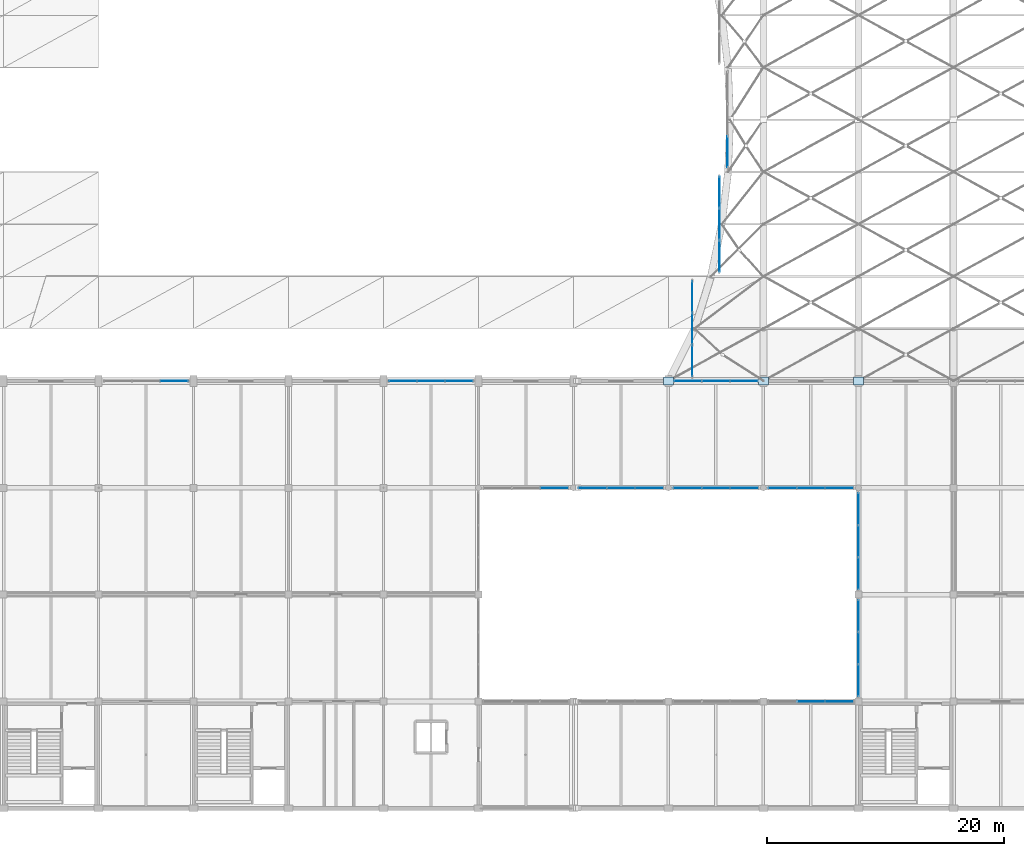
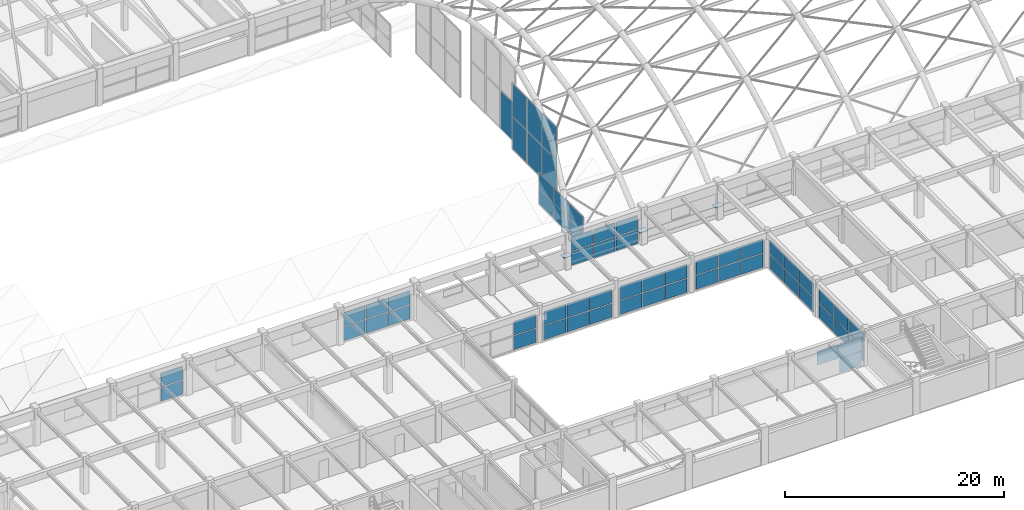
# One storey, part 87 of 126: 65 plates, 13 elements without a shape of their own.
"""IFC4 building model written with IfcOpenShell, lengths in metres."""

from ifc_helpers import new_model, si_unit, direction, frame, origin, origin_2d, place, context, subcontext, project, spatial, rectangle, extrude, material, layer, layer_set, type_object, element, aggregate, save


model = new_model("IFC4")

# Units and contexts
model_context = context("Model", 3, precision=1e-05, world=origin(), true_north=direction((0.0, 1.0)))
body_context = subcontext(model_context, "Body", "Model", "MODEL_VIEW")
ifc_project = project(units=[si_unit("LENGTHUNIT", "METRE"), si_unit("AREAUNIT", "SQUARE_METRE"), si_unit("VOLUMEUNIT", "CUBIC_METRE"), si_unit("PLANEANGLEUNIT", "RADIAN"), si_unit("MASSUNIT", "GRAM", prefix="KILO")], contexts=[model_context])

# Site, building, storey
site_placement = place(None, origin())
site = spatial("IfcSite", under=ifc_project, at=site_placement, CompositionType="ELEMENT")
building_placement = place(site_placement, origin())
building = spatial("IfcBuilding", under=site, at=building_placement, Name="Varnabhumi Central Station", CompositionType="ELEMENT")
storey_placement = place(building_placement, frame((0.0, 0.0, 16.199951171875)))
storey = spatial("IfcBuildingStorey", under=building, at=storey_placement, Name="L03", CompositionType="ELEMENT", Elevation=16.199951171875)

# Curtain wall, plates
ifc_material_1 = material(Name="Anodised aluminium 6063-T6", Category="aluminium")
curtain_wall_type_1 = type_object("IfcCurtainWallType", Name="CW-VAULT-ARCH-V5", PredefinedType="NOTDEFINED", material=ifc_material_1)
curtain_wall_1_placement = place(storey_placement, origin())
curtain_wall_1 = element("IfcCurtainWall", 1, at=curtain_wall_1_placement, inside=storey, type_object=curtain_wall_type_1, Name="Curtain Wall CW-V51", PredefinedType="NOTDEFINED")
ifc_material_2 = material(Name="Laminated low-E double glazing", Category="glass")
ifc_layer_1 = layer(ifc_material_2, 0.035888671875, Name="Laminated low-E double glazing", Category="glass")
ifc_layer_set_1 = layer_set([ifc_layer_1], Name="Laminated low-E double glazing")
plate_type_1 = type_object("IfcPlateType", Name="CW-PNL-GLZ-1", PredefinedType="CURTAIN_PANEL", material=ifc_layer_set_1)
plate_1_placement = place(storey_placement, frame((130.007080078125, 37.699951171875, 1.2900390625), z_axis=(0.0, 0.0, 1.0), x_axis=(0.0, 1.0, 0.0)))
plate_1 = element("IfcPlate", 2, at=plate_1_placement, type_object=plate_type_1, Name="Glazed Panel CW-V51-P11", PredefinedType="CURTAIN_PANEL", context=body_context, shape_type="SweptSolid", body=[
    extrude(rectangle(XDim=2.6201171875, YDim=0.035888671875, at=origin_2d()), origin(), (0.0, 0.0, 1.0), 1.668212890625),
])
plate_2_placement = place(storey_placement, frame((130.007080078125, 37.699951171875, 3.03857421875), z_axis=(0.0, 0.0, 1.0), x_axis=(0.0, 1.0, 0.0)))
plate_2 = element("IfcPlate", 3, at=plate_2_placement, type_object=plate_type_1, Name="Glazed Panel CW-V51-P12", PredefinedType="CURTAIN_PANEL", context=body_context, shape_type="SweptSolid", body=[
    extrude(rectangle(XDim=2.6201171875, YDim=0.035888671875, at=origin_2d()), origin(), (0.0, 0.0, 1.0), 1.668212890625),
])
plate_3_placement = place(storey_placement, frame((130.007080078125, 40.39990234375, 1.2900390625), z_axis=(0.0, 0.0, 1.0), x_axis=(0.0, 1.0, 0.0)))
plate_3 = element("IfcPlate", 4, at=plate_3_placement, type_object=plate_type_1, Name="Glazed Panel CW-V51-P21", PredefinedType="CURTAIN_PANEL", context=body_context, shape_type="SweptSolid", body=[
    extrude(rectangle(XDim=2.6201171875, YDim=0.035888671875, at=origin_2d()), origin(), (0.0, 0.0, 1.0), 1.668212890625),
])
plate_4_placement = place(storey_placement, frame((130.007080078125, 40.39990234375, 3.03857421875), z_axis=(0.0, 0.0, 1.0), x_axis=(0.0, 1.0, 0.0)))
plate_4 = element("IfcPlate", 5, at=plate_4_placement, type_object=plate_type_1, Name="Glazed Panel CW-V51-P22", PredefinedType="CURTAIN_PANEL", context=body_context, shape_type="SweptSolid", body=[
    extrude(rectangle(XDim=2.6201171875, YDim=0.035888671875, at=origin_2d()), origin(), (0.0, 0.0, 1.0), 1.668212890625),
])
plate_5_placement = place(storey_placement, frame((130.007080078125, 43.10009765625, 1.2900390625), z_axis=(0.0, 0.0, 1.0), x_axis=(0.0, 1.0, 0.0)))
plate_5 = element("IfcPlate", 6, at=plate_5_placement, type_object=plate_type_1, Name="Glazed Panel CW-V51-P31", PredefinedType="CURTAIN_PANEL", context=body_context, shape_type="SweptSolid", body=[
    extrude(rectangle(XDim=2.6201171875, YDim=0.035888671875, at=origin_2d()), origin(), (0.0, 0.0, 1.0), 1.668212890625),
])
plate_6_placement = place(storey_placement, frame((130.007080078125, 43.10009765625, 3.03857421875), z_axis=(0.0, 0.0, 1.0), x_axis=(0.0, 1.0, 0.0)))
plate_6 = element("IfcPlate", 7, at=plate_6_placement, type_object=plate_type_1, Name="Glazed Panel CW-V51-P32", PredefinedType="CURTAIN_PANEL", context=body_context, shape_type="SweptSolid", body=[
    extrude(rectangle(XDim=2.6201171875, YDim=0.035888671875, at=origin_2d()), origin(), (0.0, 0.0, 1.0), 1.668212890625),
])
aggregate(curtain_wall_1, [plate_1, plate_2, plate_3, plate_4, plate_5, plate_6])

curtain_wall_2_placement = place(storey_placement, origin())
curtain_wall_2 = element("IfcCurtainWall", 8, at=curtain_wall_2_placement, inside=storey, type_object=curtain_wall_type_1, Name="Curtain Wall CW-V52", PredefinedType="NOTDEFINED")
plate_7_placement = place(storey_placement, frame((132.284912109375, 46.5, 1.2900390625), z_axis=(0.0, 0.0, 1.0), x_axis=(0.0, 1.0, 0.0)))
plate_7 = element("IfcPlate", 9, at=plate_7_placement, type_object=plate_type_1, Name="Glazed Panel CW-V52-P11", PredefinedType="CURTAIN_PANEL", context=body_context, shape_type="SweptSolid", body=[
    extrude(rectangle(XDim=2.6201171875, YDim=0.035888671875, at=origin_2d()), origin(), (0.0, 0.0, 1.0), 3.595458984375),
])
plate_8_placement = place(storey_placement, frame((132.284912109375, 46.5, 4.96533203125), z_axis=(0.0, 0.0, 1.0), x_axis=(0.0, 1.0, 0.0)))
plate_8 = element("IfcPlate", 10, at=plate_8_placement, type_object=plate_type_1, Name="Glazed Panel CW-V52-P12", PredefinedType="CURTAIN_PANEL", context=body_context, shape_type="SweptSolid", body=[
    extrude(rectangle(XDim=2.6201171875, YDim=0.035888671875, at=origin_2d()), origin(), (0.0, 0.0, 1.0), 3.595458984375),
])
plate_9_placement = place(storey_placement, frame((132.284912109375, 49.199951171875, 1.2900390625), z_axis=(0.0, 0.0, 1.0), x_axis=(0.0, 1.0, 0.0)))
plate_9 = element("IfcPlate", 11, at=plate_9_placement, type_object=plate_type_1, Name="Glazed Panel CW-V52-P21", PredefinedType="CURTAIN_PANEL", context=body_context, shape_type="SweptSolid", body=[
    extrude(rectangle(XDim=2.6201171875, YDim=0.035888671875, at=origin_2d()), origin(), (0.0, 0.0, 1.0), 3.595458984375),
])
plate_10_placement = place(storey_placement, frame((132.284912109375, 49.199951171875, 4.96533203125), z_axis=(0.0, 0.0, 1.0), x_axis=(0.0, 1.0, 0.0)))
plate_10 = element("IfcPlate", 12, at=plate_10_placement, type_object=plate_type_1, Name="Glazed Panel CW-V52-P22", PredefinedType="CURTAIN_PANEL", context=body_context, shape_type="SweptSolid", body=[
    extrude(rectangle(XDim=2.6201171875, YDim=0.035888671875, at=origin_2d()), origin(), (0.0, 0.0, 1.0), 3.595458984375),
])
plate_11_placement = place(storey_placement, frame((132.284912109375, 51.89990234375, 1.2900390625), z_axis=(0.0, 0.0, 1.0), x_axis=(0.0, 1.0, 0.0)))
plate_11 = element("IfcPlate", 13, at=plate_11_placement, type_object=plate_type_1, Name="Glazed Panel CW-V52-P31", PredefinedType="CURTAIN_PANEL", context=body_context, shape_type="SweptSolid", body=[
    extrude(rectangle(XDim=2.6201171875, YDim=0.035888671875, at=origin_2d()), origin(), (0.0, 0.0, 1.0), 3.595458984375),
])
plate_12_placement = place(storey_placement, frame((132.284912109375, 51.89990234375, 4.96533203125), z_axis=(0.0, 0.0, 1.0), x_axis=(0.0, 1.0, 0.0)))
plate_12 = element("IfcPlate", 14, at=plate_12_placement, type_object=plate_type_1, Name="Glazed Panel CW-V52-P32", PredefinedType="CURTAIN_PANEL", context=body_context, shape_type="SweptSolid", body=[
    extrude(rectangle(XDim=2.6201171875, YDim=0.035888671875, at=origin_2d()), origin(), (0.0, 0.0, 1.0), 3.595458984375),
])
aggregate(curtain_wall_2, [plate_7, plate_8, plate_9, plate_10, plate_11, plate_12])

# Curtain wall, plate
curtain_wall_3_placement = place(storey_placement, origin())
curtain_wall_3 = element("IfcCurtainWall", 15, at=curtain_wall_3_placement, inside=storey, type_object=curtain_wall_type_1, Name="Curtain Wall CW-V53", PredefinedType="NOTDEFINED")
plate_13_placement = place(storey_placement, frame((132.992919921875, 55.300048828125, 1.2900390625), z_axis=(0.0, 0.0, 1.0), x_axis=(0.0, 1.0, 0.0)))
plate_13 = element("IfcPlate", 16, at=plate_13_placement, type_object=plate_type_1, Name="Glazed Panel CW-V53-P11", PredefinedType="CURTAIN_PANEL", context=body_context, shape_type="SweptSolid", body=[
    extrude(rectangle(XDim=2.6201171875, YDim=0.035888671875, at=origin_2d()), origin(), (0.0, 0.0, 1.0), 4.195068359375),
])
aggregate(curtain_wall_3, [plate_13])

# Curtain wall, plates
curtain_wall_type_2 = type_object("IfcCurtainWallType", Name="CW-SPINE-SCREEN-L0", PredefinedType="NOTDEFINED", material=ifc_material_1)
curtain_wall_4_placement = place(storey_placement, origin())
curtain_wall_4 = element("IfcCurtainWall", 17, at=curtain_wall_4_placement, inside=storey, type_object=curtain_wall_type_2, Name="Curtain Wall CW-SS306", PredefinedType="NOTDEFINED")
plate_14_placement = place(storey_placement, frame((86.36669921875, 36.0, 0.0400390625), z_axis=(0.0, 0.0, 1.0), x_axis=(1.0, 0.0, 0.0)))
plate_14 = element("IfcPlate", 18, at=plate_14_placement, type_object=plate_type_1, Name="Glazed Panel CW-SS306-P31", PredefinedType="CURTAIN_PANEL", context=body_context, shape_type="SweptSolid", body=[
    extrude(rectangle(XDim=2.28662109375, YDim=0.035888671875, at=origin_2d()), origin(), (0.0, 0.0, 1.0), 1.5400390625),
])
plate_15_placement = place(storey_placement, frame((86.36669921875, 36.0, 1.659912109375), z_axis=(0.0, 0.0, 1.0), x_axis=(1.0, 0.0, 0.0)))
plate_15 = element("IfcPlate", 19, at=plate_15_placement, type_object=plate_type_1, Name="Glazed Panel CW-SS306-P32", PredefinedType="CURTAIN_PANEL", context=body_context, shape_type="SweptSolid", body=[
    extrude(rectangle(XDim=2.28662109375, YDim=0.035888671875, at=origin_2d()), origin(), (0.0, 0.0, 1.0), 1.5400390625),
])
aggregate(curtain_wall_4, [plate_14, plate_15])

curtain_wall_type_3 = type_object("IfcCurtainWallType", Name="CW-PATIO-LOGGIA-L3", PredefinedType="NOTDEFINED", material=ifc_material_1)
curtain_wall_5_placement = place(storey_placement, origin())
curtain_wall_5 = element("IfcCurtainWall", 20, at=curtain_wall_5_placement, inside=storey, type_object=curtain_wall_type_3, Name="Curtain Wall CW-SP3S4", PredefinedType="NOTDEFINED")
plate_16_placement = place(storey_placement, frame((140.0, 9.0, 1.659912109375), z_axis=(0.0, 0.0, 1.0), x_axis=(1.0, 0.0, 0.0)))
plate_16 = element("IfcPlate", 21, at=plate_16_placement, type_object=plate_type_1, Name="Glazed Panel CW-SP3S4-P22", PredefinedType="CURTAIN_PANEL", context=body_context, shape_type="SweptSolid", body=[
    extrude(rectangle(XDim=2.306640625, YDim=0.035888671875, at=origin_2d()), origin(), (0.0, 0.0, 1.0), 1.5400390625),
])
plate_17_placement = place(storey_placement, frame((142.38671875, 9.0, 0.0400390625), z_axis=(0.0, 0.0, 1.0), x_axis=(1.0, 0.0, 0.0)))
plate_17 = element("IfcPlate", 22, at=plate_17_placement, type_object=plate_type_1, Name="Glazed Panel CW-SP3S4-P31", PredefinedType="CURTAIN_PANEL", context=body_context, shape_type="SweptSolid", body=[
    extrude(rectangle(XDim=2.306640625, YDim=0.035888671875, at=origin_2d()), origin(), (0.0, 0.0, 1.0), 1.5400390625),
])
plate_18_placement = place(storey_placement, frame((142.38671875, 9.0, 1.659912109375), z_axis=(0.0, 0.0, 1.0), x_axis=(1.0, 0.0, 0.0)))
plate_18 = element("IfcPlate", 23, at=plate_18_placement, type_object=plate_type_1, Name="Glazed Panel CW-SP3S4-P32", PredefinedType="CURTAIN_PANEL", context=body_context, shape_type="SweptSolid", body=[
    extrude(rectangle(XDim=2.306640625, YDim=0.035888671875, at=origin_2d()), origin(), (0.0, 0.0, 1.0), 1.5400390625),
])
aggregate(curtain_wall_5, [plate_16, plate_17, plate_18])

curtain_wall_6_placement = place(storey_placement, origin())
curtain_wall_6 = element("IfcCurtainWall", 24, at=curtain_wall_6_placement, inside=storey, type_object=curtain_wall_type_3, Name="Curtain Wall CW-SP3N4", PredefinedType="NOTDEFINED")
plate_19_placement = place(storey_placement, frame((137.61328125, 27.0, 0.0400390625), z_axis=(0.0, 0.0, 1.0), x_axis=(1.0, 0.0, 0.0)))
plate_19 = element("IfcPlate", 25, at=plate_19_placement, type_object=plate_type_1, Name="Glazed Panel CW-SP3N4-P11", PredefinedType="CURTAIN_PANEL", context=body_context, shape_type="SweptSolid", body=[
    extrude(rectangle(XDim=2.306640625, YDim=0.035888671875, at=origin_2d()), origin(), (0.0, 0.0, 1.0), 1.5400390625),
])
plate_20_placement = place(storey_placement, frame((137.61328125, 27.0, 1.659912109375), z_axis=(0.0, 0.0, 1.0), x_axis=(1.0, 0.0, 0.0)))
plate_20 = element("IfcPlate", 26, at=plate_20_placement, type_object=plate_type_1, Name="Glazed Panel CW-SP3N4-P12", PredefinedType="CURTAIN_PANEL", context=body_context, shape_type="SweptSolid", body=[
    extrude(rectangle(XDim=2.306640625, YDim=0.035888671875, at=origin_2d()), origin(), (0.0, 0.0, 1.0), 1.5400390625),
])
plate_21_placement = place(storey_placement, frame((140.0, 27.0, 0.0400390625), z_axis=(0.0, 0.0, 1.0), x_axis=(1.0, 0.0, 0.0)))
plate_21 = element("IfcPlate", 27, at=plate_21_placement, type_object=plate_type_1, Name="Glazed Panel CW-SP3N4-P21", PredefinedType="CURTAIN_PANEL", context=body_context, shape_type="SweptSolid", body=[
    extrude(rectangle(XDim=2.306640625, YDim=0.035888671875, at=origin_2d()), origin(), (0.0, 0.0, 1.0), 1.5400390625),
])
plate_22_placement = place(storey_placement, frame((140.0, 27.0, 1.659912109375), z_axis=(0.0, 0.0, 1.0), x_axis=(1.0, 0.0, 0.0)))
plate_22 = element("IfcPlate", 28, at=plate_22_placement, type_object=plate_type_1, Name="Glazed Panel CW-SP3N4-P22", PredefinedType="CURTAIN_PANEL", context=body_context, shape_type="SweptSolid", body=[
    extrude(rectangle(XDim=2.306640625, YDim=0.035888671875, at=origin_2d()), origin(), (0.0, 0.0, 1.0), 1.5400390625),
])
plate_23_placement = place(storey_placement, frame((142.38671875, 27.0, 0.0400390625), z_axis=(0.0, 0.0, 1.0), x_axis=(1.0, 0.0, 0.0)))
plate_23 = element("IfcPlate", 29, at=plate_23_placement, type_object=plate_type_1, Name="Glazed Panel CW-SP3N4-P31", PredefinedType="CURTAIN_PANEL", context=body_context, shape_type="SweptSolid", body=[
    extrude(rectangle(XDim=2.306640625, YDim=0.035888671875, at=origin_2d()), origin(), (0.0, 0.0, 1.0), 1.5400390625),
])
plate_24_placement = place(storey_placement, frame((142.38671875, 27.0, 1.659912109375), z_axis=(0.0, 0.0, 1.0), x_axis=(1.0, 0.0, 0.0)))
plate_24 = element("IfcPlate", 30, at=plate_24_placement, type_object=plate_type_1, Name="Glazed Panel CW-SP3N4-P32", PredefinedType="CURTAIN_PANEL", context=body_context, shape_type="SweptSolid", body=[
    extrude(rectangle(XDim=2.306640625, YDim=0.035888671875, at=origin_2d()), origin(), (0.0, 0.0, 1.0), 1.5400390625),
])
aggregate(curtain_wall_6, [plate_19, plate_20, plate_21, plate_22, plate_23, plate_24])

curtain_wall_7_placement = place(storey_placement, origin())
curtain_wall_7 = element("IfcCurtainWall", 31, at=curtain_wall_7_placement, inside=storey, type_object=curtain_wall_type_3, Name="Curtain Wall CW-SP3W1", PredefinedType="NOTDEFINED")
ifc_layer_2 = layer(ifc_material_2, 0.035888671875, Name="Laminated low-E double glazing", Category="glass")
ifc_layer_set_2 = layer_set([ifc_layer_2], Name="Laminated low-E double glazing")
plate_type_2 = type_object("IfcPlateType", Name="CW-PNL-GLZ-3", PredefinedType="CURTAIN_PANEL", material=ifc_layer_set_2)
plate_25_placement = place(storey_placement, frame((144.0, 10.780029296875, 0.0400390625), z_axis=(0.0, 0.0, 1.0), x_axis=(0.0, 1.0, 0.0)))
plate_25 = element("IfcPlate", 32, at=plate_25_placement, type_object=plate_type_2, Name="Glazed Panel CW-SP3W1-P11", PredefinedType="CURTAIN_PANEL", context=body_context, shape_type="SweptSolid", body=[
    extrude(rectangle(XDim=2.639892578125, YDim=0.035888671875, at=origin_2d()), origin(), (0.0, 0.0, 1.0), 1.5400390625),
])
plate_26_placement = place(storey_placement, frame((144.0, 10.780029296875, 1.659912109375), z_axis=(0.0, 0.0, 1.0), x_axis=(0.0, 1.0, 0.0)))
plate_26 = element("IfcPlate", 33, at=plate_26_placement, type_object=plate_type_2, Name="Glazed Panel CW-SP3W1-P12", PredefinedType="CURTAIN_PANEL", context=body_context, shape_type="SweptSolid", body=[
    extrude(rectangle(XDim=2.639892578125, YDim=0.035888671875, at=origin_2d()), origin(), (0.0, 0.0, 1.0), 1.5400390625),
])
plate_27_placement = place(storey_placement, frame((144.0, 13.5, 0.0400390625), z_axis=(0.0, 0.0, 1.0), x_axis=(0.0, 1.0, 0.0)))
plate_27 = element("IfcPlate", 34, at=plate_27_placement, type_object=plate_type_2, Name="Glazed Panel CW-SP3W1-P21", PredefinedType="CURTAIN_PANEL", context=body_context, shape_type="SweptSolid", body=[
    extrude(rectangle(XDim=2.639892578125, YDim=0.035888671875, at=origin_2d()), origin(), (0.0, 0.0, 1.0), 1.5400390625),
])
plate_28_placement = place(storey_placement, frame((144.0, 13.5, 1.659912109375), z_axis=(0.0, 0.0, 1.0), x_axis=(0.0, 1.0, 0.0)))
plate_28 = element("IfcPlate", 35, at=plate_28_placement, type_object=plate_type_2, Name="Glazed Panel CW-SP3W1-P22", PredefinedType="CURTAIN_PANEL", context=body_context, shape_type="SweptSolid", body=[
    extrude(rectangle(XDim=2.639892578125, YDim=0.035888671875, at=origin_2d()), origin(), (0.0, 0.0, 1.0), 1.5400390625),
])
plate_29_placement = place(storey_placement, frame((144.0, 16.219970703125, 0.0400390625), z_axis=(0.0, 0.0, 1.0), x_axis=(0.0, 1.0, 0.0)))
plate_29 = element("IfcPlate", 36, at=plate_29_placement, type_object=plate_type_2, Name="Glazed Panel CW-SP3W1-P31", PredefinedType="CURTAIN_PANEL", context=body_context, shape_type="SweptSolid", body=[
    extrude(rectangle(XDim=2.639892578125, YDim=0.035888671875, at=origin_2d()), origin(), (0.0, 0.0, 1.0), 1.5400390625),
])
plate_30_placement = place(storey_placement, frame((144.0, 16.219970703125, 1.659912109375), z_axis=(0.0, 0.0, 1.0), x_axis=(0.0, 1.0, 0.0)))
plate_30 = element("IfcPlate", 37, at=plate_30_placement, type_object=plate_type_2, Name="Glazed Panel CW-SP3W1-P32", PredefinedType="CURTAIN_PANEL", context=body_context, shape_type="SweptSolid", body=[
    extrude(rectangle(XDim=2.639892578125, YDim=0.035888671875, at=origin_2d()), origin(), (0.0, 0.0, 1.0), 1.5400390625),
])
aggregate(curtain_wall_7, [plate_25, plate_26, plate_27, plate_28, plate_29, plate_30])

curtain_wall_8_placement = place(storey_placement, origin())
curtain_wall_8 = element("IfcCurtainWall", 38, at=curtain_wall_8_placement, inside=storey, type_object=curtain_wall_type_3, Name="Curtain Wall CW-SP3W2", PredefinedType="NOTDEFINED")
plate_31_placement = place(storey_placement, frame((144.0, 19.780029296875, 0.0400390625), z_axis=(0.0, 0.0, 1.0), x_axis=(0.0, 1.0, 0.0)))
plate_31 = element("IfcPlate", 39, at=plate_31_placement, type_object=plate_type_2, Name="Glazed Panel CW-SP3W2-P11", PredefinedType="CURTAIN_PANEL", context=body_context, shape_type="SweptSolid", body=[
    extrude(rectangle(XDim=2.639892578125, YDim=0.035888671875, at=origin_2d()), origin(), (0.0, 0.0, 1.0), 1.5400390625),
])
plate_32_placement = place(storey_placement, frame((144.0, 19.780029296875, 1.659912109375), z_axis=(0.0, 0.0, 1.0), x_axis=(0.0, 1.0, 0.0)))
plate_32 = element("IfcPlate", 40, at=plate_32_placement, type_object=plate_type_2, Name="Glazed Panel CW-SP3W2-P12", PredefinedType="CURTAIN_PANEL", context=body_context, shape_type="SweptSolid", body=[
    extrude(rectangle(XDim=2.639892578125, YDim=0.035888671875, at=origin_2d()), origin(), (0.0, 0.0, 1.0), 1.5400390625),
])
plate_33_placement = place(storey_placement, frame((144.0, 22.5, 0.0400390625), z_axis=(0.0, 0.0, 1.0), x_axis=(0.0, 1.0, 0.0)))
plate_33 = element("IfcPlate", 41, at=plate_33_placement, type_object=plate_type_2, Name="Glazed Panel CW-SP3W2-P21", PredefinedType="CURTAIN_PANEL", context=body_context, shape_type="SweptSolid", body=[
    extrude(rectangle(XDim=2.639892578125, YDim=0.035888671875, at=origin_2d()), origin(), (0.0, 0.0, 1.0), 1.5400390625),
])
plate_34_placement = place(storey_placement, frame((144.0, 22.5, 1.659912109375), z_axis=(0.0, 0.0, 1.0), x_axis=(0.0, 1.0, 0.0)))
plate_34 = element("IfcPlate", 42, at=plate_34_placement, type_object=plate_type_2, Name="Glazed Panel CW-SP3W2-P22", PredefinedType="CURTAIN_PANEL", context=body_context, shape_type="SweptSolid", body=[
    extrude(rectangle(XDim=2.639892578125, YDim=0.035888671875, at=origin_2d()), origin(), (0.0, 0.0, 1.0), 1.5400390625),
])
plate_35_placement = place(storey_placement, frame((144.0, 25.219970703125, 0.0400390625), z_axis=(0.0, 0.0, 1.0), x_axis=(0.0, 1.0, 0.0)))
plate_35 = element("IfcPlate", 43, at=plate_35_placement, type_object=plate_type_2, Name="Glazed Panel CW-SP3W2-P31", PredefinedType="CURTAIN_PANEL", context=body_context, shape_type="SweptSolid", body=[
    extrude(rectangle(XDim=2.639892578125, YDim=0.035888671875, at=origin_2d()), origin(), (0.0, 0.0, 1.0), 1.5400390625),
])
plate_36_placement = place(storey_placement, frame((144.0, 25.219970703125, 1.659912109375), z_axis=(0.0, 0.0, 1.0), x_axis=(0.0, 1.0, 0.0)))
plate_36 = element("IfcPlate", 44, at=plate_36_placement, type_object=plate_type_2, Name="Glazed Panel CW-SP3W2-P32", PredefinedType="CURTAIN_PANEL", context=body_context, shape_type="SweptSolid", body=[
    extrude(rectangle(XDim=2.639892578125, YDim=0.035888671875, at=origin_2d()), origin(), (0.0, 0.0, 1.0), 1.5400390625),
])
aggregate(curtain_wall_8, [plate_31, plate_32, plate_33, plate_34, plate_35, plate_36])

curtain_wall_9_placement = place(storey_placement, origin())
curtain_wall_9 = element("IfcCurtainWall", 45, at=curtain_wall_9_placement, inside=storey, type_object=curtain_wall_type_2, Name="Curtain Wall CW-SS309", PredefinedType="NOTDEFINED")
ifc_layer_3 = layer(ifc_material_2, 0.035888671875, Name="Laminated low-E double glazing", Category="glass")
ifc_layer_set_3 = layer_set([ifc_layer_3], Name="Laminated low-E double glazing")
plate_type_3 = type_object("IfcPlateType", Name="CW-PNL-GLZ-4", PredefinedType="CURTAIN_PANEL", material=ifc_layer_set_3)
plate_37_placement = place(storey_placement, frame((105.63330078125, 36.0, 0.0400390625), z_axis=(0.0, 0.0, 1.0), x_axis=(1.0, 0.0, 0.0)))
plate_37 = element("IfcPlate", 46, at=plate_37_placement, type_object=plate_type_3, Name="Glazed Panel CW-SS309-P11", PredefinedType="CURTAIN_PANEL", context=body_context, shape_type="SweptSolid", body=[
    extrude(rectangle(XDim=2.28662109375, YDim=0.035888671875, at=origin_2d()), origin(), (0.0, 0.0, 1.0), 1.5400390625),
])
plate_38_placement = place(storey_placement, frame((105.63330078125, 36.0, 1.659912109375), z_axis=(0.0, 0.0, 1.0), x_axis=(1.0, 0.0, 0.0)))
plate_38 = element("IfcPlate", 47, at=plate_38_placement, type_object=plate_type_3, Name="Glazed Panel CW-SS309-P12", PredefinedType="CURTAIN_PANEL", context=body_context, shape_type="SweptSolid", body=[
    extrude(rectangle(XDim=2.28662109375, YDim=0.035888671875, at=origin_2d()), origin(), (0.0, 0.0, 1.0), 1.5400390625),
])
plate_39_placement = place(storey_placement, frame((108.0, 36.0, 0.0400390625), z_axis=(0.0, 0.0, 1.0), x_axis=(1.0, 0.0, 0.0)))
plate_39 = element("IfcPlate", 48, at=plate_39_placement, type_object=plate_type_3, Name="Glazed Panel CW-SS309-P21", PredefinedType="CURTAIN_PANEL", context=body_context, shape_type="SweptSolid", body=[
    extrude(rectangle(XDim=2.28662109375, YDim=0.035888671875, at=origin_2d()), origin(), (0.0, 0.0, 1.0), 1.5400390625),
])
plate_40_placement = place(storey_placement, frame((108.0, 36.0, 1.659912109375), z_axis=(0.0, 0.0, 1.0), x_axis=(1.0, 0.0, 0.0)))
plate_40 = element("IfcPlate", 49, at=plate_40_placement, type_object=plate_type_3, Name="Glazed Panel CW-SS309-P22", PredefinedType="CURTAIN_PANEL", context=body_context, shape_type="SweptSolid", body=[
    extrude(rectangle(XDim=2.28662109375, YDim=0.035888671875, at=origin_2d()), origin(), (0.0, 0.0, 1.0), 1.5400390625),
])
plate_41_placement = place(storey_placement, frame((110.36669921875, 36.0, 0.0400390625), z_axis=(0.0, 0.0, 1.0), x_axis=(1.0, 0.0, 0.0)))
plate_41 = element("IfcPlate", 50, at=plate_41_placement, type_object=plate_type_3, Name="Glazed Panel CW-SS309-P31", PredefinedType="CURTAIN_PANEL", context=body_context, shape_type="SweptSolid", body=[
    extrude(rectangle(XDim=2.28662109375, YDim=0.035888671875, at=origin_2d()), origin(), (0.0, 0.0, 1.0), 1.5400390625),
])
plate_42_placement = place(storey_placement, frame((110.36669921875, 36.0, 1.659912109375), z_axis=(0.0, 0.0, 1.0), x_axis=(1.0, 0.0, 0.0)))
plate_42 = element("IfcPlate", 51, at=plate_42_placement, type_object=plate_type_3, Name="Glazed Panel CW-SS309-P32", PredefinedType="CURTAIN_PANEL", context=body_context, shape_type="SweptSolid", body=[
    extrude(rectangle(XDim=2.28662109375, YDim=0.035888671875, at=origin_2d()), origin(), (0.0, 0.0, 1.0), 1.5400390625),
])
aggregate(curtain_wall_9, [plate_37, plate_38, plate_39, plate_40, plate_41, plate_42])

curtain_wall_10_placement = place(storey_placement, origin())
curtain_wall_10 = element("IfcCurtainWall", 52, at=curtain_wall_10_placement, inside=storey, type_object=curtain_wall_type_2, Name="Curtain Wall CW-SS312", PredefinedType="NOTDEFINED")
ifc_layer_4 = layer(ifc_material_2, 0.035888671875, Name="Laminated low-E double glazing", Category="glass")
ifc_layer_set_4 = layer_set([ifc_layer_4], Name="Laminated low-E double glazing")
plate_type_4 = type_object("IfcPlateType", Name="CW-PNL-GLZ-7", PredefinedType="CURTAIN_PANEL", material=ifc_layer_set_4)
plate_43_placement = place(storey_placement, frame((129.63330078125, 36.0, 0.0400390625), z_axis=(0.0, 0.0, 1.0), x_axis=(1.0, 0.0, 0.0)))
plate_43 = element("IfcPlate", 53, at=plate_43_placement, type_object=plate_type_4, Name="Glazed Panel CW-SS312-P11", PredefinedType="CURTAIN_PANEL", context=body_context, shape_type="SweptSolid", body=[
    extrude(rectangle(XDim=2.28662109375, YDim=0.035888671875, at=origin_2d()), origin(), (0.0, 0.0, 1.0), 1.5400390625),
])
plate_44_placement = place(storey_placement, frame((129.63330078125, 36.0, 1.659912109375), z_axis=(0.0, 0.0, 1.0), x_axis=(1.0, 0.0, 0.0)))
plate_44 = element("IfcPlate", 54, at=plate_44_placement, type_object=plate_type_4, Name="Glazed Panel CW-SS312-P12", PredefinedType="CURTAIN_PANEL", context=body_context, shape_type="SweptSolid", body=[
    extrude(rectangle(XDim=2.28662109375, YDim=0.035888671875, at=origin_2d()), origin(), (0.0, 0.0, 1.0), 1.5400390625),
])
plate_45_placement = place(storey_placement, frame((132.0, 36.0, 0.0400390625), z_axis=(0.0, 0.0, 1.0), x_axis=(1.0, 0.0, 0.0)))
plate_45 = element("IfcPlate", 55, at=plate_45_placement, type_object=plate_type_4, Name="Glazed Panel CW-SS312-P21", PredefinedType="CURTAIN_PANEL", context=body_context, shape_type="SweptSolid", body=[
    extrude(rectangle(XDim=2.28662109375, YDim=0.035888671875, at=origin_2d()), origin(), (0.0, 0.0, 1.0), 1.5400390625),
])
plate_46_placement = place(storey_placement, frame((132.0, 36.0, 1.659912109375), z_axis=(0.0, 0.0, 1.0), x_axis=(1.0, 0.0, 0.0)))
plate_46 = element("IfcPlate", 56, at=plate_46_placement, type_object=plate_type_4, Name="Glazed Panel CW-SS312-P22", PredefinedType="CURTAIN_PANEL", context=body_context, shape_type="SweptSolid", body=[
    extrude(rectangle(XDim=2.28662109375, YDim=0.035888671875, at=origin_2d()), origin(), (0.0, 0.0, 1.0), 1.5400390625),
])
plate_47_placement = place(storey_placement, frame((134.36669921875, 36.0, 0.0400390625), z_axis=(0.0, 0.0, 1.0), x_axis=(1.0, 0.0, 0.0)))
plate_47 = element("IfcPlate", 57, at=plate_47_placement, type_object=plate_type_4, Name="Glazed Panel CW-SS312-P31", PredefinedType="CURTAIN_PANEL", context=body_context, shape_type="SweptSolid", body=[
    extrude(rectangle(XDim=2.28662109375, YDim=0.035888671875, at=origin_2d()), origin(), (0.0, 0.0, 1.0), 1.5400390625),
])
plate_48_placement = place(storey_placement, frame((134.36669921875, 36.0, 1.659912109375), z_axis=(0.0, 0.0, 1.0), x_axis=(1.0, 0.0, 0.0)))
plate_48 = element("IfcPlate", 58, at=plate_48_placement, type_object=plate_type_4, Name="Glazed Panel CW-SS312-P32", PredefinedType="CURTAIN_PANEL", context=body_context, shape_type="SweptSolid", body=[
    extrude(rectangle(XDim=2.28662109375, YDim=0.035888671875, at=origin_2d()), origin(), (0.0, 0.0, 1.0), 1.5400390625),
])
aggregate(curtain_wall_10, [plate_43, plate_44, plate_45, plate_46, plate_47, plate_48])

curtain_wall_11_placement = place(storey_placement, origin())
curtain_wall_11 = element("IfcCurtainWall", 59, at=curtain_wall_11_placement, inside=storey, type_object=curtain_wall_type_3, Name="Curtain Wall CW-SP3N1", PredefinedType="NOTDEFINED")
plate_49_placement = place(storey_placement, frame((118.38671875, 27.0, 0.0400390625), z_axis=(0.0, 0.0, 1.0), x_axis=(1.0, 0.0, 0.0)))
plate_49 = element("IfcPlate", 60, at=plate_49_placement, type_object=plate_type_4, Name="Glazed Panel CW-SP3N1-P31", PredefinedType="CURTAIN_PANEL", context=body_context, shape_type="SweptSolid", body=[
    extrude(rectangle(XDim=2.306640625, YDim=0.035888671875, at=origin_2d()), origin(), (0.0, 0.0, 1.0), 1.5400390625),
])
plate_50_placement = place(storey_placement, frame((118.38671875, 27.0, 1.659912109375), z_axis=(0.0, 0.0, 1.0), x_axis=(1.0, 0.0, 0.0)))
plate_50 = element("IfcPlate", 61, at=plate_50_placement, type_object=plate_type_4, Name="Glazed Panel CW-SP3N1-P32", PredefinedType="CURTAIN_PANEL", context=body_context, shape_type="SweptSolid", body=[
    extrude(rectangle(XDim=2.306640625, YDim=0.035888671875, at=origin_2d()), origin(), (0.0, 0.0, 1.0), 1.5400390625),
])
aggregate(curtain_wall_11, [plate_49, plate_50])

curtain_wall_12_placement = place(storey_placement, origin())
curtain_wall_12 = element("IfcCurtainWall", 62, at=curtain_wall_12_placement, inside=storey, type_object=curtain_wall_type_3, Name="Curtain Wall CW-SP3N2", PredefinedType="NOTDEFINED")
ifc_layer_5 = layer(ifc_material_2, 0.035888671875, Name="Laminated low-E double glazing", Category="glass")
ifc_layer_set_5 = layer_set([ifc_layer_5], Name="Laminated low-E double glazing")
plate_type_5 = type_object("IfcPlateType", Name="CW-PNL-GLZ-8", PredefinedType="CURTAIN_PANEL", material=ifc_layer_set_5)
plate_51_placement = place(storey_placement, frame((121.61328125, 27.0, 0.0400390625), z_axis=(0.0, 0.0, 1.0), x_axis=(1.0, 0.0, 0.0)))
plate_51 = element("IfcPlate", 63, at=plate_51_placement, type_object=plate_type_5, Name="Glazed Panel CW-SP3N2-P11", PredefinedType="CURTAIN_PANEL", context=body_context, shape_type="SweptSolid", body=[
    extrude(rectangle(XDim=2.306640625, YDim=0.035888671875, at=origin_2d()), origin(), (0.0, 0.0, 1.0), 1.5400390625),
])
plate_52_placement = place(storey_placement, frame((121.61328125, 27.0, 1.659912109375), z_axis=(0.0, 0.0, 1.0), x_axis=(1.0, 0.0, 0.0)))
plate_52 = element("IfcPlate", 64, at=plate_52_placement, type_object=plate_type_5, Name="Glazed Panel CW-SP3N2-P12", PredefinedType="CURTAIN_PANEL", context=body_context, shape_type="SweptSolid", body=[
    extrude(rectangle(XDim=2.306640625, YDim=0.035888671875, at=origin_2d()), origin(), (0.0, 0.0, 1.0), 1.5400390625),
])
plate_53_placement = place(storey_placement, frame((124.0, 27.0, 0.0400390625), z_axis=(0.0, 0.0, 1.0), x_axis=(1.0, 0.0, 0.0)))
plate_53 = element("IfcPlate", 65, at=plate_53_placement, type_object=plate_type_5, Name="Glazed Panel CW-SP3N2-P21", PredefinedType="CURTAIN_PANEL", context=body_context, shape_type="SweptSolid", body=[
    extrude(rectangle(XDim=2.306640625, YDim=0.035888671875, at=origin_2d()), origin(), (0.0, 0.0, 1.0), 1.5400390625),
])
plate_54_placement = place(storey_placement, frame((124.0, 27.0, 1.659912109375), z_axis=(0.0, 0.0, 1.0), x_axis=(1.0, 0.0, 0.0)))
plate_54 = element("IfcPlate", 66, at=plate_54_placement, type_object=plate_type_5, Name="Glazed Panel CW-SP3N2-P22", PredefinedType="CURTAIN_PANEL", context=body_context, shape_type="SweptSolid", body=[
    extrude(rectangle(XDim=2.306640625, YDim=0.035888671875, at=origin_2d()), origin(), (0.0, 0.0, 1.0), 1.5400390625),
])
plate_55_placement = place(storey_placement, frame((126.38671875, 27.0, 0.0400390625), z_axis=(0.0, 0.0, 1.0), x_axis=(1.0, 0.0, 0.0)))
plate_55 = element("IfcPlate", 67, at=plate_55_placement, type_object=plate_type_5, Name="Glazed Panel CW-SP3N2-P31", PredefinedType="CURTAIN_PANEL", context=body_context, shape_type="SweptSolid", body=[
    extrude(rectangle(XDim=2.306640625, YDim=0.035888671875, at=origin_2d()), origin(), (0.0, 0.0, 1.0), 1.5400390625),
])
plate_56_placement = place(storey_placement, frame((126.38671875, 27.0, 1.659912109375), z_axis=(0.0, 0.0, 1.0), x_axis=(1.0, 0.0, 0.0)))
plate_56 = element("IfcPlate", 68, at=plate_56_placement, type_object=plate_type_5, Name="Glazed Panel CW-SP3N2-P32", PredefinedType="CURTAIN_PANEL", context=body_context, shape_type="SweptSolid", body=[
    extrude(rectangle(XDim=2.306640625, YDim=0.035888671875, at=origin_2d()), origin(), (0.0, 0.0, 1.0), 1.5400390625),
])
aggregate(curtain_wall_12, [plate_51, plate_52, plate_53, plate_54, plate_55, plate_56])

curtain_wall_13_placement = place(storey_placement, origin())
curtain_wall_13 = element("IfcCurtainWall", 69, at=curtain_wall_13_placement, inside=storey, type_object=curtain_wall_type_3, Name="Curtain Wall CW-SP3N3", PredefinedType="NOTDEFINED")
ifc_layer_6 = layer(ifc_material_2, 0.035888671875, Name="Laminated low-E double glazing", Category="glass")
ifc_layer_set_6 = layer_set([ifc_layer_6], Name="Laminated low-E double glazing")
plate_type_6 = type_object("IfcPlateType", Name="CW-PNL-GLZ-9", PredefinedType="CURTAIN_PANEL", material=ifc_layer_set_6)
plate_57_placement = place(storey_placement, frame((129.61328125, 27.0, 0.0400390625), z_axis=(0.0, 0.0, 1.0), x_axis=(1.0, 0.0, 0.0)))
plate_57 = element("IfcPlate", 70, at=plate_57_placement, type_object=plate_type_6, Name="Glazed Panel CW-SP3N3-P11", PredefinedType="CURTAIN_PANEL", context=body_context, shape_type="SweptSolid", body=[
    extrude(rectangle(XDim=2.306640625, YDim=0.035888671875, at=origin_2d()), origin(), (0.0, 0.0, 1.0), 1.5400390625),
])
plate_58_placement = place(storey_placement, frame((129.61328125, 27.0, 1.659912109375), z_axis=(0.0, 0.0, 1.0), x_axis=(1.0, 0.0, 0.0)))
plate_58 = element("IfcPlate", 71, at=plate_58_placement, type_object=plate_type_6, Name="Glazed Panel CW-SP3N3-P12", PredefinedType="CURTAIN_PANEL", context=body_context, shape_type="SweptSolid", body=[
    extrude(rectangle(XDim=2.306640625, YDim=0.035888671875, at=origin_2d()), origin(), (0.0, 0.0, 1.0), 1.5400390625),
])
plate_59_placement = place(storey_placement, frame((132.0, 27.0, 0.0400390625), z_axis=(0.0, 0.0, 1.0), x_axis=(1.0, 0.0, 0.0)))
plate_59 = element("IfcPlate", 72, at=plate_59_placement, type_object=plate_type_6, Name="Glazed Panel CW-SP3N3-P21", PredefinedType="CURTAIN_PANEL", context=body_context, shape_type="SweptSolid", body=[
    extrude(rectangle(XDim=2.306640625, YDim=0.035888671875, at=origin_2d()), origin(), (0.0, 0.0, 1.0), 1.5400390625),
])
plate_60_placement = place(storey_placement, frame((132.0, 27.0, 1.659912109375), z_axis=(0.0, 0.0, 1.0), x_axis=(1.0, 0.0, 0.0)))
plate_60 = element("IfcPlate", 73, at=plate_60_placement, type_object=plate_type_6, Name="Glazed Panel CW-SP3N3-P22", PredefinedType="CURTAIN_PANEL", context=body_context, shape_type="SweptSolid", body=[
    extrude(rectangle(XDim=2.306640625, YDim=0.035888671875, at=origin_2d()), origin(), (0.0, 0.0, 1.0), 1.5400390625),
])
plate_61_placement = place(storey_placement, frame((134.38671875, 27.0, 0.0400390625), z_axis=(0.0, 0.0, 1.0), x_axis=(1.0, 0.0, 0.0)))
plate_61 = element("IfcPlate", 74, at=plate_61_placement, type_object=plate_type_6, Name="Glazed Panel CW-SP3N3-P31", PredefinedType="CURTAIN_PANEL", context=body_context, shape_type="SweptSolid", body=[
    extrude(rectangle(XDim=2.306640625, YDim=0.035888671875, at=origin_2d()), origin(), (0.0, 0.0, 1.0), 1.5400390625),
])
plate_62_placement = place(storey_placement, frame((134.38671875, 27.0, 1.659912109375), z_axis=(0.0, 0.0, 1.0), x_axis=(1.0, 0.0, 0.0)))
plate_62 = element("IfcPlate", 75, at=plate_62_placement, type_object=plate_type_6, Name="Glazed Panel CW-SP3N3-P32", PredefinedType="CURTAIN_PANEL", context=body_context, shape_type="SweptSolid", body=[
    extrude(rectangle(XDim=2.306640625, YDim=0.035888671875, at=origin_2d()), origin(), (0.0, 0.0, 1.0), 1.5400390625),
])
aggregate(curtain_wall_13, [plate_57, plate_58, plate_59, plate_60, plate_61, plate_62])

# Plates
ifc_material_3 = material(Name="Structural steel E350", Category="steel")
ifc_layer_7 = layer(ifc_material_3, 0.031982421875, Name="Structural steel E350", Category="steel")
ifc_layer_set_7 = layer_set([ifc_layer_7], Name="Structural steel E350")
plate_type_7 = type_object("IfcPlateType", Name="PLT-GUSSET-A", PredefinedType="USERDEFINED", material=ifc_layer_set_7)
for number, where, z_axis, x_axis, name in (
    (76, (128.0, 36.0, 1.333984375), (0.0, 0.0, 1.0), (1.0, 0.0, 0.0), "Platform Train-Shed Vault Arch Springing Gusset 1-S"),
    (77, (136.0, 36.0, 1.333984375), (0.0, 0.0, 1.0), (1.0, 0.0, 0.0), "Platform Train-Shed Vault Arch Springing Gusset 2-S"),
    (78, (144.0, 36.0, 1.333984375), (0.0, 0.0, 1.0), (1.0, 0.0, 0.0), "Platform Train-Shed Vault Arch Springing Gusset 3-S"),
):
    element("IfcPlate", number, at=place(storey_placement, frame(where, z_axis=z_axis, x_axis=x_axis)), inside=storey, type_object=plate_type_7, Name=name, ObjectType="GUSSET PLATE", PredefinedType="USERDEFINED", context=body_context, shape_type="SweptSolid", body=[
        extrude(rectangle(XDim=0.85009765625, YDim=0.64990234375, at=origin_2d()), origin(), (0.0, 0.0, 1.0), 0.031982421875),
    ])

save(model, "model.ifc")
